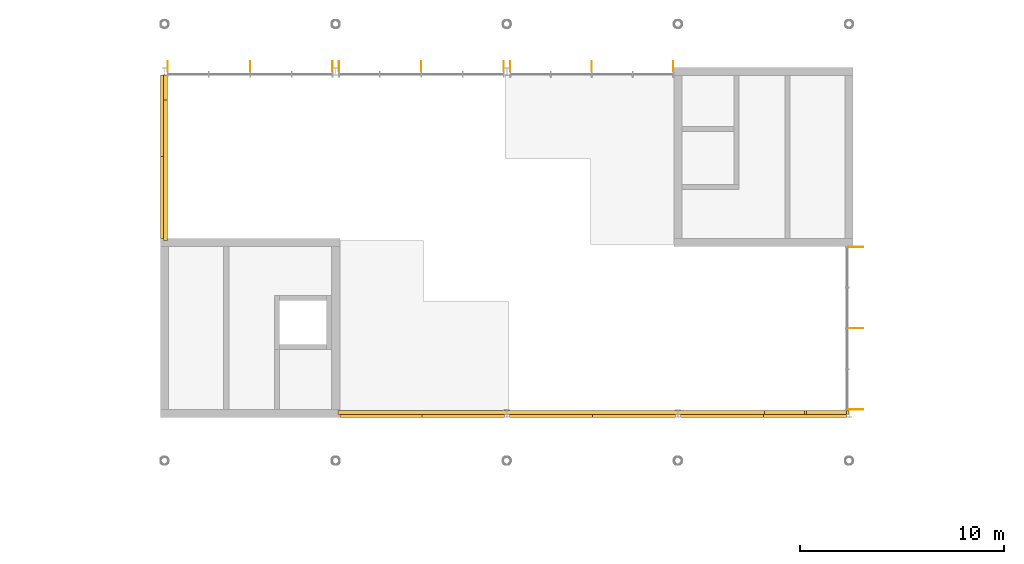
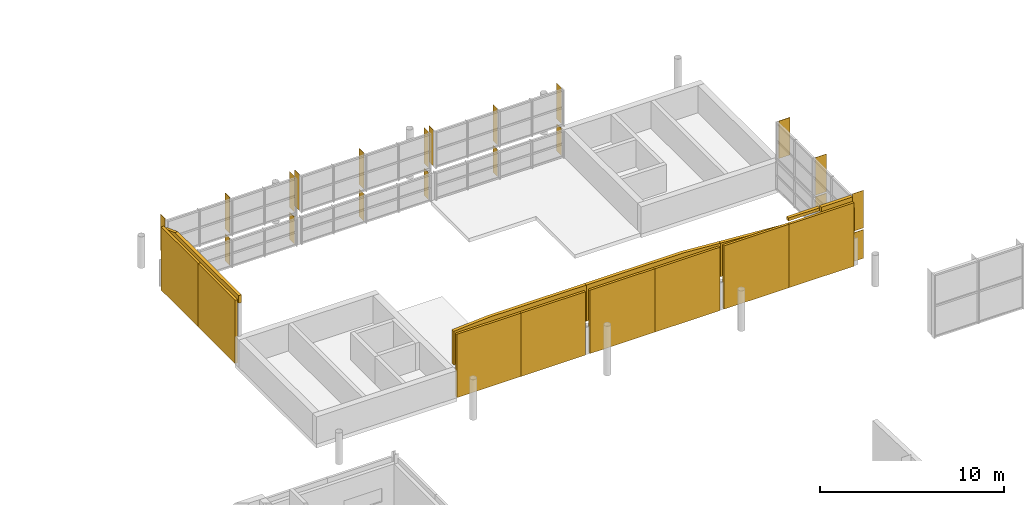
# One storey, part 69 of 72: 28 shading devices, 6 coverings.
"""IFC4 building model written with IfcOpenShell, lengths in metres."""

import ifcopenshell
import ifcopenshell.guid

model = None  # the IFC model being written
_history = None  # IfcOwnerHistory: only IFC2X3 demands one
_inside = {}  # id of a spatial element -> (the spatial element, [elements in it])
_under = {}  # id of a project, library or spatial element -> (it, [spatial elements below it])
_declared = {}  # id of a project -> (the project, [libraries it declares])
_typed = {}  # id of a type object -> (the type object, [elements of that type])
_made_of = {}  # id of a material, layer set ... -> (it, [elements and type objects made of it])


def new_model(schema):
    """Start an empty IFC model of exactly this schema.

    Asked for "IFC4X3", IfcOpenShell would pick the latest addendum, in which some entities
    have other attributes; the version numbers below select the first issue.
    IFC2X3 requires an IfcOwnerHistory on every rooted entity: one is made here for all.
    """
    global model, _history
    if schema == "IFC4X3":
        model = ifcopenshell.file(schema_version=(4, 3, 0, 0))
    else:
        model = ifcopenshell.file(schema=schema)
    _inside.clear()
    _under.clear()
    _declared.clear()
    _typed.clear()
    _made_of.clear()
    _history = None
    if model.schema == "IFC2X3":
        org = make("IfcOrganization", Name="unknown")
        user = make(
            "IfcPersonAndOrganization",
            ThePerson=make("IfcPerson", FamilyName="unknown"),
            TheOrganization=org,
        )
        app = make(
            "IfcApplication",
            ApplicationDeveloper=org,
            Version="unknown",
            ApplicationFullName="unknown",
            ApplicationIdentifier="unknown",
        )
        _history = make(
            "IfcOwnerHistory",
            OwningUser=user,
            OwningApplication=app,
            ChangeAction="ADDED",
            CreationDate=0,
        )
    return model


def make(cls, **values):
    """One entity of the class cls with the attributes given. An attribute that is None is left unset."""
    return model.create_entity(
        cls, **{name: value for name, value in values.items() if value is not None}
    )


def rooted(cls, **values):
    """An entity with a GlobalId (a new one), such as an element, a storey or a relation."""
    return make(cls, GlobalId=ifcopenshell.guid.new(), OwnerHistory=_history, **values)


def si_unit(unit_type, name, prefix=None):
    """IfcSIUnit, for example si_unit("LENGTHUNIT", "METRE", prefix="MILLI")."""
    return make("IfcSIUnit", UnitType=unit_type, Prefix=prefix, Name=name)


def assignment(units):
    """IfcUnitAssignment: the units of a project."""
    return None if units is None else make("IfcUnitAssignment", Units=units)


def point(xyz):
    """IfcCartesianPoint."""
    return None if xyz is None else make("IfcCartesianPoint", Coordinates=xyz)


def direction(xyz):
    """IfcDirection."""
    return None if xyz is None else make("IfcDirection", DirectionRatios=xyz)


def frame(location, z_axis=None, x_axis=None):
    """IfcAxis2Placement3D, a coordinate frame: its origin and axes. An axis left out is left unset."""
    return make(
        "IfcAxis2Placement3D",
        Location=point(location),
        Axis=direction(z_axis),
        RefDirection=direction(x_axis),
    )


def frame_2d(location, x_axis=None):
    """IfcAxis2Placement2D, a coordinate frame in the plane: its origin and x axis."""
    return make(
        "IfcAxis2Placement2D", Location=point(location), RefDirection=direction(x_axis)
    )


def origin():
    """The frame at (0, 0, 0) with its axes left unset."""
    return frame((0.0, 0.0, 0.0))


def origin_2d():
    """The frame at (0, 0) in the plane with its x axis left unset."""
    return frame_2d((0.0, 0.0))


def place(relative_to, where):
    """IfcLocalPlacement: puts the frame where relative to a parent placement (None: the world)."""
    return make(
        "IfcLocalPlacement", PlacementRelTo=relative_to, RelativePlacement=where
    )


def context(
    kind, dimensions, precision=None, world=None, true_north=None, identifier=None
):
    """IfcGeometricRepresentationContext, for example the 3D "Model" context."""
    return make(
        "IfcGeometricRepresentationContext",
        ContextIdentifier=identifier,
        ContextType=kind,
        CoordinateSpaceDimension=dimensions,
        Precision=precision,
        WorldCoordinateSystem=world,
        TrueNorth=true_north,
    )


def subcontext(parent, identifier, kind, view, scale=None):
    """IfcGeometricRepresentationSubContext, for example "Body" below "Model"."""
    return make(
        "IfcGeometricRepresentationSubContext",
        ContextIdentifier=identifier,
        ContextType=kind,
        ParentContext=parent,
        TargetScale=scale,
        TargetView=view,
    )


def project(units=None, contexts=None):
    """IfcProject with its units and contexts."""
    return rooted(
        "IfcProject",
        Name="project",
        RepresentationContexts=contexts,
        UnitsInContext=assignment(units),
    )


def spatial(cls, under=None, at=None, **own):
    """A site, building, storey or space (cls), placed at a placement, below another one or the project."""
    s = rooted(cls, ObjectPlacement=at, **own)
    if under is not None:
        _under.setdefault(under.id(), (under, []))[1].append(s)
    return s


def polyline(points):
    """IfcPolyline through the points."""
    return make("IfcPolyline", Points=[point(p) for p in points])


def profile(cls, at=None, kind="AREA", **sizes):
    """A parametric profile (cls). Its sizes go by their IFC names, for example OverallWidth=200.0."""
    return make(cls, ProfileType=kind, Position=at, **sizes)


def rectangle(**sizes):
    """IfcRectangleProfileDef."""
    return profile("IfcRectangleProfileDef", **sizes)


def outline(outer, holes=None, kind="AREA"):
    """IfcArbitraryClosedProfileDef: a profile drawn as a closed curve; with holes, ...WithVoids."""
    if holes is None:
        return make("IfcArbitraryClosedProfileDef", ProfileType=kind, OuterCurve=outer)
    return make(
        "IfcArbitraryProfileDefWithVoids",
        ProfileType=kind,
        OuterCurve=outer,
        InnerCurves=holes,
    )


def extrude(swept, where, along, depth):
    """IfcExtrudedAreaSolid: the profile swept, set in the frame where, extruded along a direction by depth."""
    return make(
        "IfcExtrudedAreaSolid",
        SweptArea=swept,
        Position=where,
        ExtrudedDirection=direction(along),
        Depth=depth,
    )


def shape(context_of_items, identifier, shape_type, items):
    """IfcShapeRepresentation: the items that make up one representation, for example the "Body"."""
    return make(
        "IfcShapeRepresentation",
        ContextOfItems=context_of_items,
        RepresentationIdentifier=identifier,
        RepresentationType=shape_type,
        Items=items,
    )


def material(Name=None, Category=None):
    """IfcMaterial."""
    return make("IfcMaterial", Name=Name, Category=Category)


def layer(
    of_material, thickness, ventilated=None, Name=None, Category=None, Priority=None
):
    """IfcMaterialLayer: one layer of a wall or slab, of a material (None: an air gap)."""
    return make(
        "IfcMaterialLayer",
        Material=of_material,
        LayerThickness=thickness,
        IsVentilated=ventilated,
        Name=Name,
        Category=Category,
        Priority=Priority,
    )


def layer_set(layers, Name=None):
    """IfcMaterialLayerSet."""
    return make("IfcMaterialLayerSet", MaterialLayers=layers, LayerSetName=Name)


def made_of(thing, what):
    """Note that an element or type object is made of a material, layer set ...; save() writes the relation."""
    if what is not None:
        _made_of.setdefault(what.id(), (what, []))[1].append(thing)
    return thing


def type_object(cls, material=None, **own):
    """A type object (cls), such as IfcWallType, which elements share."""
    return made_of(rooted(cls, **own), material)


def element(
    cls,
    number,
    at=None,
    inside=None,
    cuts=None,
    type_object=None,
    material=None,
    context=None,
    identifier="Body",
    shape_type=None,
    held_by="IfcProductDefinitionShape",
    body=None,
    shapes=None,
    **own,
):
    """One element of the class cls, such as IfcWall. Its Tag is "e" and its number.

    at: its placement. inside: the storey or other place that contains it. cuts: it is an
    opening in that element (IfcRelVoidsElement). A single representation is given by context,
    identifier, shape_type and body (its items); several are given by shapes. held_by: the class
    of the entity that holds the representations. save() writes the other relations.
    """
    e = rooted(cls, Tag="e%d" % number, ObjectPlacement=at, **own)
    if body is not None:
        shapes = [shape(context, identifier, shape_type, body)]
    if shapes is not None:
        e.Representation = make(held_by, Representations=shapes)
    if inside is not None:
        _inside.setdefault(inside.id(), (inside, []))[1].append(e)
    if cuts is not None:
        rooted(
            "IfcRelVoidsElement", RelatingBuildingElement=cuts, RelatedOpeningElement=e
        )
    if type_object is not None:
        _typed.setdefault(type_object.id(), (type_object, []))[1].append(e)
    return made_of(e, material)


def aggregate(whole, parts):
    """IfcRelAggregates: a whole, such as a stair, and the parts it consists of."""
    return rooted("IfcRelAggregates", RelatingObject=whole, RelatedObjects=parts)


def save(model, path):
    """Write the relations noted so far, then the file.

    IfcRelAggregates (storeys below a building ...), IfcRelContainedInSpatialStructure (elements
    in a storey), IfcRelDefinesByType, IfcRelAssociatesMaterial and IfcRelDeclares: one each for
    every whole, place, type object, material and project.
    """
    for whole, parts in _under.values():
        aggregate(whole, parts)
    for where, things in _inside.values():
        rooted(
            "IfcRelContainedInSpatialStructure",
            RelatedElements=things,
            RelatingStructure=where,
        )
    for kind, things in _typed.values():
        rooted("IfcRelDefinesByType", RelatedObjects=things, RelatingType=kind)
    for what, things in _made_of.values():
        rooted("IfcRelAssociatesMaterial", RelatedObjects=things, RelatingMaterial=what)
    for by, libraries in _declared.values():
        rooted("IfcRelDeclares", RelatingContext=by, RelatedDefinitions=libraries)
    model.write(path)


model = new_model("IFC4")

# Units and contexts
model_context = context("Model", 3, precision=1e-05, world=origin(), true_north=direction((0.0, 1.0)))
body_context = subcontext(model_context, "Body", "Model", "MODEL_VIEW")
ifc_project = project(units=[si_unit("LENGTHUNIT", "METRE"), si_unit("AREAUNIT", "SQUARE_METRE"), si_unit("VOLUMEUNIT", "CUBIC_METRE"), si_unit("PLANEANGLEUNIT", "RADIAN"), si_unit("MASSUNIT", "GRAM", prefix="KILO")], contexts=[model_context])

# Site, building, storey
site_placement = place(None, origin())
site = spatial("IfcSite", under=ifc_project, at=site_placement, CompositionType="ELEMENT")
building_placement = place(site_placement, origin())
building = spatial("IfcBuilding", under=site, at=building_placement, Name="Hlaing Beacon Police Headquarters", CompositionType="ELEMENT")
storey_placement = place(building_placement, frame((0.0, 0.0, 14.39990234375)))
storey = spatial("IfcBuildingStorey", under=building, at=storey_placement, Name="L03", CompositionType="ELEMENT", Elevation=14.39990234375)

# Shading devices
ifc_material_1 = material(Name="Aluminium 6063-T5 anodised", Category="aluminium")
ifc_layer_1 = layer(ifc_material_1, 0.011962890625)
ifc_layer_set_1 = layer_set([ifc_layer_1], Name="Aluminium 6063-T5 anodised")
shading_device_type_1 = type_object("IfcShadingDeviceType", Name="Aluminium fin 12x500", PredefinedType="JALOUSIE", material=ifc_layer_set_1)
for number, where, z_axis, x_axis, name in (
    (1, (58.570068359375, 92.64990234375, 0.0), (0.0, 0.0, 1.0), (-1.0, 0.0, 0.0), "Fin L03 N005.0"),
    (2, (54.564208984375, 92.64990234375, 0.0), (0.0, 0.0, 1.0), (-1.0, 0.0, 0.0), "Fin L03 N005.2"),
):
    element("IfcShadingDevice", number, at=place(storey_placement, frame(where, z_axis=z_axis, x_axis=x_axis)), inside=storey, type_object=shading_device_type_1, Name=name, PredefinedType="JALOUSIE", context=body_context, shape_type="SweptSolid", body=[
        extrude(rectangle(XDim=0.011962890625, YDim=0.5, at=origin_2d()), origin(), (0.0, 0.0, 1.0), 1.800048828125),
    ])
for number, where, z_axis, x_axis, name in (
    (3, (58.570068359375, 92.64990234375, 2.10498046875), (0.0, 0.0, 1.0), (-1.0, 0.0, 0.0), "Fin L03 N006.0"),
    (4, (54.564208984375, 92.64990234375, 2.10498046875), (0.0, 0.0, 1.0), (-1.0, 0.0, 0.0), "Fin L03 N006.2"),
    (5, (50.558349609375, 92.64990234375, 2.10498046875), (0.0, 0.0, 1.0), (-1.0, 0.0, 0.0), "Fin L03 N006.4"),
):
    element("IfcShadingDevice", number, at=place(storey_placement, frame(where, z_axis=z_axis, x_axis=x_axis)), inside=storey, type_object=shading_device_type_1, Name=name, PredefinedType="JALOUSIE", context=body_context, shape_type="SweptSolid", body=[
        extrude(rectangle(XDim=0.011962890625, YDim=0.5, at=origin_2d()), origin(), (0.0, 0.0, 1.0), 2.395263671875),
    ])
for number, where, z_axis, x_axis, name in (
    (6, (50.24169921875, 92.64990234375, 0.0), (0.0, 0.0, 1.0), (-1.0, 0.0, 0.0), "Fin L03 N007.0"),
    (7, (46.199951171875, 92.64990234375, 0.0), (0.0, 0.0, 1.0), (-1.0, 0.0, 0.0), "Fin L03 N007.2"),
):
    element("IfcShadingDevice", number, at=place(storey_placement, frame(where, z_axis=z_axis, x_axis=x_axis)), inside=storey, type_object=shading_device_type_1, Name=name, PredefinedType="JALOUSIE", context=body_context, shape_type="SweptSolid", body=[
        extrude(rectangle(XDim=0.011962890625, YDim=0.5, at=origin_2d()), origin(), (0.0, 0.0, 1.0), 1.800048828125),
    ])
for number, where, z_axis, x_axis, name in (
    (8, (50.24169921875, 92.64990234375, 2.10498046875), (0.0, 0.0, 1.0), (-1.0, 0.0, 0.0), "Fin L03 N008.0"),
    (9, (46.199951171875, 92.64990234375, 2.10498046875), (0.0, 0.0, 1.0), (-1.0, 0.0, 0.0), "Fin L03 N008.2"),
    (10, (42.158203125, 92.64990234375, 2.10498046875), (0.0, 0.0, 1.0), (-1.0, 0.0, 0.0), "Fin L03 N008.4"),
):
    element("IfcShadingDevice", number, at=place(storey_placement, frame(where, z_axis=z_axis, x_axis=x_axis)), inside=storey, type_object=shading_device_type_1, Name=name, PredefinedType="JALOUSIE", context=body_context, shape_type="SweptSolid", body=[
        extrude(rectangle(XDim=0.011962890625, YDim=0.5, at=origin_2d()), origin(), (0.0, 0.0, 1.0), 2.395263671875),
    ])
for number, where, z_axis, x_axis, name in (
    (11, (41.841796875, 92.64990234375, 0.0), (0.0, 0.0, 1.0), (-1.0, 0.0, 0.0), "Fin L03 N009.0"),
    (12, (37.79931640625, 92.64990234375, 0.0), (0.0, 0.0, 1.0), (-1.0, 0.0, 0.0), "Fin L03 N009.2"),
):
    element("IfcShadingDevice", number, at=place(storey_placement, frame(where, z_axis=z_axis, x_axis=x_axis)), inside=storey, type_object=shading_device_type_1, Name=name, PredefinedType="JALOUSIE", context=body_context, shape_type="SweptSolid", body=[
        extrude(rectangle(XDim=0.011962890625, YDim=0.5, at=origin_2d()), origin(), (0.0, 0.0, 1.0), 1.800048828125),
    ])
for number, where, z_axis, x_axis, name in (
    (13, (41.841796875, 92.64990234375, 2.10498046875), (0.0, 0.0, 1.0), (-1.0, 0.0, 0.0), "Fin L03 N010.0"),
    (14, (37.79931640625, 92.64990234375, 2.10498046875), (0.0, 0.0, 1.0), (-1.0, 0.0, 0.0), "Fin L03 N010.2"),
    (15, (33.757080078125, 92.64990234375, 2.10498046875), (0.0, 0.0, 1.0), (-1.0, 0.0, 0.0), "Fin L03 N010.4"),
):
    element("IfcShadingDevice", number, at=place(storey_placement, frame(where, z_axis=z_axis, x_axis=x_axis)), inside=storey, type_object=shading_device_type_1, Name=name, PredefinedType="JALOUSIE", context=body_context, shape_type="SweptSolid", body=[
        extrude(rectangle(XDim=0.011962890625, YDim=0.5, at=origin_2d()), origin(), (0.0, 0.0, 1.0), 2.395263671875),
    ])
ifc_material_2 = material(Name="Aluminium 6063-T5 anodised", Category="aluminium")
ifc_layer_2 = layer(ifc_material_2, 0.01611328125)
ifc_layer_set_2 = layer_set([ifc_layer_2], Name="Aluminium 6063-T5 anodised")
shading_device_type_2 = type_object("IfcShadingDeviceType", Name="Aluminium fin 16x700", PredefinedType="JALOUSIE", material=ifc_layer_set_2)
for number, where, z_axis, x_axis, name in (
    (16, (67.550048828125, 75.807861328125, 0.0), (0.0, 0.0, 1.0), (0.0, 1.0, 0.0), "Fin L03 E011.0"),
    (17, (67.550048828125, 79.788818359375, 0.0), (0.0, 0.0, 1.0), (0.0, 1.0, 0.0), "Fin L03 E011.2"),
):
    element("IfcShadingDevice", number, at=place(storey_placement, frame(where, z_axis=z_axis, x_axis=x_axis)), inside=storey, type_object=shading_device_type_2, Name=name, PredefinedType="JALOUSIE", context=body_context, shape_type="SweptSolid", body=[
        extrude(rectangle(XDim=0.01611328125, YDim=0.699951171875, at=origin_2d()), origin(), (0.0, 0.0, 1.0), 1.89697265625),
    ])
for number, where, z_axis, x_axis, name in (
    (18, (67.550048828125, 75.807861328125, 2.0078125), (0.0, 0.0, 1.0), (0.0, 1.0, 0.0), "Fin L03 E012.0"),
    (19, (67.550048828125, 79.788818359375, 2.0078125), (0.0, 0.0, 1.0), (0.0, 1.0, 0.0), "Fin L03 E012.2"),
    (20, (67.550048828125, 83.77001953125, 2.0078125), (0.0, 0.0, 1.0), (0.0, 1.0, 0.0), "Fin L03 E012.4"),
):
    element("IfcShadingDevice", number, at=place(storey_placement, frame(where, z_axis=z_axis, x_axis=x_axis)), inside=storey, type_object=shading_device_type_2, Name=name, PredefinedType="JALOUSIE", context=body_context, shape_type="SweptSolid", body=[
        extrude(rectangle(XDim=0.01611328125, YDim=0.699951171875, at=origin_2d()), origin(), (0.0, 0.0, 1.0), 2.4921875),
    ])

# Coverings
ifc_material_3 = material(Name="Insulated aluminium cladding system", Category="aluminium")
ifc_layer_3 = layer(ifc_material_3, 0.199951171875)
ifc_layer_set_3 = layer_set([ifc_layer_3], Name="Insulated aluminium cladding system")
covering_type = type_object("IfcCoveringType", Name="Closure panel, Insulated aluminium clad wall 200", PredefinedType="CLADDING", material=ifc_layer_set_3)
covering_1_placement = place(storey_placement, frame((33.64990234375, 92.23046875, 4.003173828125), z_axis=(0.0, 0.0, 1.0), x_axis=(0.0, -1.0, 0.0)))
element("IfcCovering", 21, at=covering_1_placement, inside=storey, type_object=covering_type, Name="Closure panel External wall L03 W005", PredefinedType="CLADDING", context=body_context, shape_type="SweptSolid", body=[
    extrude(outline(polyline([(0.0, 0.0), (8.12744140625, 0.0), (8.127197265625, 0.496826171875), (1.231689453125, 0.496826171875), (0.0, 0.04248046875), (0.0, 0.0)])), frame((0.0, 0.10009765625, 0.0), z_axis=(0.0, -1.0, 0.0), x_axis=(1.0, 0.0, 0.0)), (0.0, 0.0, 1.0), 0.199951171875),
])
covering_2_placement = place(storey_placement, frame((42.10302734375, 75.64990234375, 2.10498046875), z_axis=(0.0, 0.0, 1.0), x_axis=(1.0, 0.0, 0.0)))
element("IfcCovering", 22, at=covering_2_placement, inside=storey, type_object=covering_type, Name="Closure panel External wall L03 S006", PredefinedType="CLADDING", context=body_context, shape_type="SweptSolid", body=[
    extrude(outline(polyline([(0.0, 0.0), (8.293212890625, 0.0), (8.293212890625, 2.39501953125), (2.25048828125, 2.39501953125), (0.0, 2.234375), (0.0, 0.0)])), frame((0.0, 0.10009765625, 0.0), z_axis=(0.0, -1.0, 0.0), x_axis=(1.0, 0.0, 0.0)), (0.0, 0.0, 1.0), 0.199951171875),
])
covering_3_placement = place(storey_placement, frame((50.40380859375, 75.64990234375, 2.10498046875), z_axis=(0.0, 0.0, 1.0), x_axis=(1.0, 0.0, 0.0)))
element("IfcCovering", 23, at=covering_3_placement, inside=storey, type_object=covering_type, Name="Closure panel External wall L03 S007", PredefinedType="CLADDING", context=body_context, shape_type="SweptSolid", body=[
    extrude(outline(polyline([(0.0, 0.0), (8.392578125, 0.0), (8.392578125, 2.227294921875), (6.04248046875, 2.39501953125), (0.0, 2.39501953125), (0.0, 0.0)])), frame((0.0, 0.10009765625, 0.0), z_axis=(0.0, -1.0, 0.0), x_axis=(1.0, 0.0, 0.0)), (0.0, 0.0, 1.0), 0.199951171875),
])
covering_4_placement = place(storey_placement, frame((58.8037109375, 75.64990234375, 2.10498046875), z_axis=(0.0, 0.0, 1.0), x_axis=(1.0, 0.0, 0.0)))
element("IfcCovering", 24, at=covering_4_placement, inside=storey, type_object=covering_type, Name="Closure panel External wall L03 S008", PredefinedType="CLADDING", context=body_context, shape_type="SweptSolid", body=[
    extrude(outline(polyline([(0.0, 0.0), (8.3916015625, 0.0), (8.3916015625, 1.627197265625), (4.1962890625, 1.927001953125), (0.0, 2.226806640625), (0.0, 0.0)])), frame((0.0, 0.10009765625, 0.0), z_axis=(0.0, -1.0, 0.0), x_axis=(1.0, 0.0, 0.0)), (0.0, 0.0, 1.0), 0.199951171875),
])
covering_5_placement = place(storey_placement, frame((63.05126953125, 75.64990234375, 4.30810546875), z_axis=(0.0, 0.0, 1.0), x_axis=(1.0, 0.0, 0.0)))
element("IfcCovering", 25, at=covering_5_placement, inside=storey, type_object=covering_type, Name="Closure panel External wall L03 S008", PredefinedType="CLADDING", context=body_context, shape_type="SweptSolid", body=[
    extrude(rectangle(XDim=1.9619140625, YDim=0.199951171875, at=frame_2d((0.98095703125, 0.0))), origin(), (0.0, 0.0, 1.0), 0.19189453125),
])
covering_6_placement = place(storey_placement, frame((65.115478515625, 75.64990234375, 4.160400390625), z_axis=(0.0, 0.0, 1.0), x_axis=(1.0, 0.0, 0.0)))
element("IfcCovering", 26, at=covering_6_placement, inside=storey, type_object=covering_type, Name="Closure panel External wall L03 S008", PredefinedType="CLADDING", context=body_context, shape_type="SweptSolid", body=[
    extrude(rectangle(XDim=1.962158203125, YDim=0.199951171875, at=frame_2d((0.98095703125, 0.0))), origin(), (0.0, 0.0, 1.0), 0.339599609375),
])

# Shading devices
ifc_material_4 = material(Name="Perforated aluminium", Category="aluminium")
ifc_layer_4 = layer(ifc_material_4, 0.14990234375)
ifc_layer_set_4 = layer_set([ifc_layer_4], Name="Perforated aluminium")
shading_device_type_3 = type_object("IfcShadingDeviceType", Name="Perforated screen panel 150", PredefinedType="JALOUSIE", material=ifc_layer_set_4)
for number, where, z_axis, x_axis, name in (
    (27, (33.47509765625, 90.216796875, 0.0), (0.0, 0.0, 1.0), (0.0, -1.0, 0.0), "Screen L03 W001"),
    (28, (33.47509765625, 86.20556640625, 0.0), (0.0, 0.0, 1.0), (0.0, -1.0, 0.0), "Screen L03 W002"),
):
    element("IfcShadingDevice", number, at=place(storey_placement, frame(where, z_axis=z_axis, x_axis=x_axis)), inside=storey, type_object=shading_device_type_3, Name=name, PredefinedType="JALOUSIE", context=body_context, shape_type="SweptSolid", body=[
        extrude(rectangle(XDim=4.010986328125, YDim=0.14990234375, at=origin_2d()), origin(), (0.0, 0.0, 1.0), 4.199951171875),
    ])
for number, where, z_axis, x_axis, name in (
    (29, (44.218017578125, 75.47509765625, 0.0), (0.0, 0.0, 1.0), (1.0, 0.0, 0.0), "Screen L03 S003"),
    (30, (48.25390625, 75.47509765625, 0.0), (0.0, 0.0, 1.0), (1.0, 0.0, 0.0), "Screen L03 S004"),
):
    element("IfcShadingDevice", number, at=place(storey_placement, frame(where, z_axis=z_axis, x_axis=x_axis)), inside=storey, type_object=shading_device_type_3, Name=name, PredefinedType="JALOUSIE", context=body_context, shape_type="SweptSolid", body=[
        extrude(rectangle(XDim=4.035888671875, YDim=0.14990234375, at=origin_2d()), origin(), (0.0, 0.0, 1.0), 4.199951171875),
    ])
for number, where, z_axis, x_axis, name in (
    (31, (52.564208984375, 75.47509765625, 0.0), (0.0, 0.0, 1.0), (1.0, 0.0, 0.0), "Screen L03 S005"),
    (32, (56.6357421875, 75.47509765625, 0.0), (0.0, 0.0, 1.0), (1.0, 0.0, 0.0), "Screen L03 S006"),
):
    element("IfcShadingDevice", number, at=place(storey_placement, frame(where, z_axis=z_axis, x_axis=x_axis)), inside=storey, type_object=shading_device_type_3, Name=name, PredefinedType="JALOUSIE", context=body_context, shape_type="SweptSolid", body=[
        extrude(rectangle(XDim=4.07177734375, YDim=0.14990234375, at=origin_2d()), origin(), (0.0, 0.0, 1.0), 4.199951171875),
    ])
for number, where, z_axis, x_axis, name in (
    (33, (60.964599609375, 75.47509765625, 0.0), (0.0, 0.0, 1.0), (1.0, 0.0, 0.0), "Screen L03 S007"),
    (34, (65.036865234375, 75.47509765625, 0.0), (0.0, 0.0, 1.0), (1.0, 0.0, 0.0), "Screen L03 S008"),
):
    element("IfcShadingDevice", number, at=place(storey_placement, frame(where, z_axis=z_axis, x_axis=x_axis)), inside=storey, type_object=shading_device_type_3, Name=name, PredefinedType="JALOUSIE", context=body_context, shape_type="SweptSolid", body=[
        extrude(rectangle(XDim=4.072509765625, YDim=0.14990234375, at=origin_2d()), origin(), (0.0, 0.0, 1.0), 4.199951171875),
    ])

save(model, "model.ifc")
